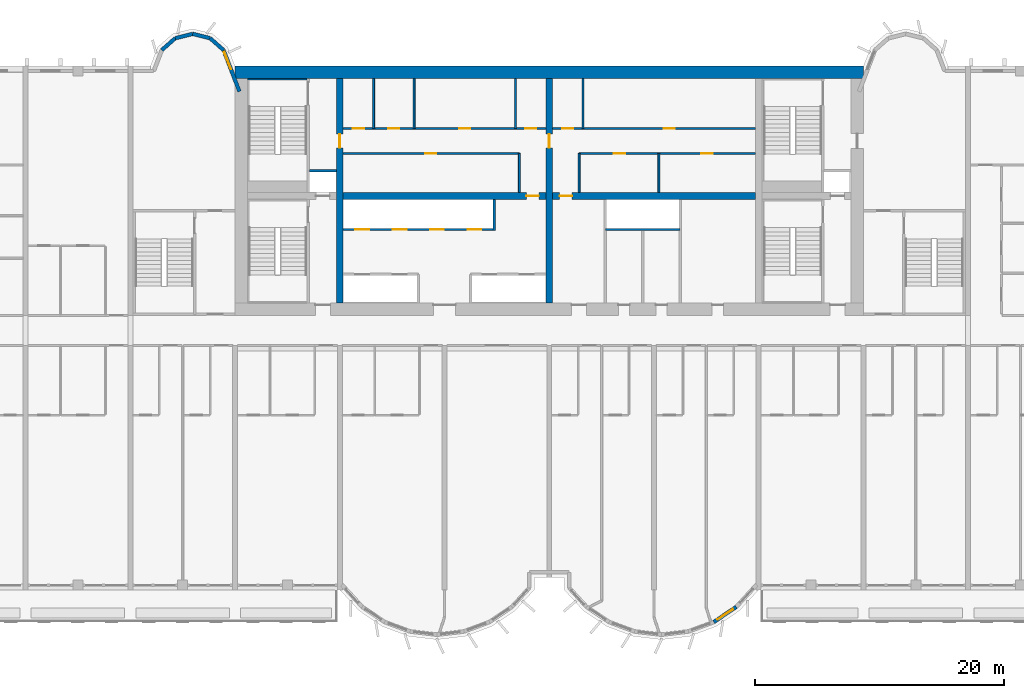
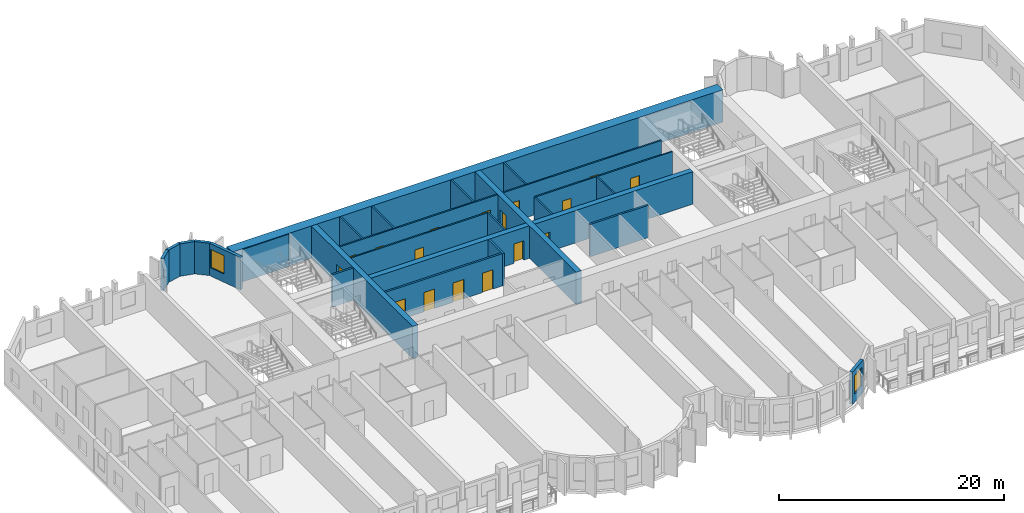
# One storey, part 7 of 14: 27 walls, 17 doors, 2 windows, 19 openings.
"""IFC4 building model written with IfcOpenShell, lengths in metres."""

from ifc_helpers import new_model, si_unit, direction, frame, frame_2d, origin, place, context, subcontext, project, spatial, rectangle, extrude, source, transform, mapped, material, layer, layer_set, type_object, element, fill, save


model = new_model("IFC4")

# Units and contexts
model_context = context("Model", 3, precision=1e-05, world=origin(), true_north=direction((0.0, 1.0)))
body_context = subcontext(model_context, "Body", "Model", "MODEL_VIEW")
ifc_project = project(units=[si_unit("LENGTHUNIT", "METRE"), si_unit("AREAUNIT", "SQUARE_METRE"), si_unit("VOLUMEUNIT", "CUBIC_METRE"), si_unit("PLANEANGLEUNIT", "RADIAN"), si_unit("MASSUNIT", "GRAM", prefix="KILO")], contexts=[model_context])

# Site, building, storey
site_placement = place(None, origin())
site = spatial("IfcSite", under=ifc_project, at=site_placement, CompositionType="ELEMENT")
building_placement = place(site_placement, origin())
building = spatial("IfcBuilding", under=site, at=building_placement, Name="Vanashikhar Sky Hotel", CompositionType="ELEMENT")
storey_placement = place(building_placement, frame((0.0, 0.0, 54.39990234375)))
storey = spatial("IfcBuildingStorey", under=building, at=storey_placement, Name="L12", CompositionType="ELEMENT", Elevation=54.39990234375)

# Wall
ifc_material_1 = material(Name="Concrete M80", Category="concrete")
ifc_layer_1 = layer(ifc_material_1, 1.0)
ifc_layer_set_1 = layer_set([ifc_layer_1], Name="RC core shell wall 1000 Concrete M80")
wall_type_1 = type_object("IfcWallType", Name="RC core shell wall 1000 Concrete M80", PredefinedType="SHEAR", material=ifc_layer_set_1)
shared_shape_1 = source(origin(), body_context, "Body", "SweptSolid", [
    extrude(rectangle(XDim=50.400146484375, YDim=1.0, at=frame_2d((25.2001953125, 0.0))), origin(), (0.0, 0.0, 1.0), 3.52001953125),
])
wall_1_placement = place(storey_placement, frame((25.199951171875, 41.5, 0.0), z_axis=(0.0, 0.0, 1.0), x_axis=(1.0, 0.0, 0.0)))
element("IfcWall", 1, at=wall_1_placement, inside=storey, type_object=wall_type_1, Name="KW-L12-KN", PredefinedType="SHEAR", context=body_context, shape_type="MappedRepresentation", body=[
    mapped(shared_shape_1, transform((0.0, 0.0, 0.0), scale=1.0)),
])

# Wall, opening, door
ifc_layer_2 = layer(ifc_material_1, 0.550048828125)
ifc_layer_set_2 = layer_set([ifc_layer_2], Name="RC core inner wall 550 Concrete M80")
wall_type_2 = type_object("IfcWallType", Name="RC core inner wall 550 Concrete M80", PredefinedType="SHEAR", material=ifc_layer_set_2)
shared_shape_2 = source(origin(), body_context, "Body", "SweptSolid", [
    extrude(rectangle(XDim=18.0, YDim=0.550048828125, at=frame_2d((9.0, 0.0))), origin(), (0.0, 0.0, 1.0), 3.52001953125),
])
wall_2_placement = place(storey_placement, frame((33.60009765625, 23.0, 0.0), z_axis=(0.0, 0.0, 1.0), x_axis=(0.0, 1.0, 0.0)))
wall_2 = element("IfcWall", 2, at=wall_2_placement, inside=storey, type_object=wall_type_2, Name="KW-L12-KX1", PredefinedType="SHEAR", context=body_context, shape_type="MappedRepresentation", body=[
    mapped(shared_shape_2, transform((0.0, 0.0, 0.0), scale=1.0)),
])
shared_shape_3 = source(origin(), body_context, "Body", "SweptSolid", [
    extrude(rectangle(XDim=1.10009765625, YDim=2.10009765625, at=frame_2d((0.550048828125, 1.050048828125))), frame((0.0, 0.28515625, 0.0), z_axis=(0.0, -1.0, 0.0), x_axis=(1.0, 0.0, 0.0)), (0.0, 0.0, 1.0), 0.570068359375),
])
opening_1_placement = place(wall_2_placement, frame((12.449951171875, 0.0, 0.0)))
opening_1 = element("IfcOpeningElement", 3, at=opening_1_placement, cuts=wall_2, Name="Opening DC-4-C", PredefinedType="OPENING", context=body_context, shape_type="MappedRepresentation", body=[
    mapped(shared_shape_3, transform((0.0, 0.0, 0.0), scale=1.0)),
])
ifc_material_2 = material(Name="Steel", Category="steel")
door_type_1 = type_object("IfcDoorType", Name="Service door 1100 FD60", OperationType="NOTDEFINED", PredefinedType="DOOR", material=ifc_material_2)
shared_shape_4 = source(origin(), body_context, "Body", "SweptSolid", [
    extrude(rectangle(XDim=1.10009765625, YDim=2.10009765625, at=frame_2d((0.550048828125, 1.050048828125))), frame((0.0, 0.02490234375, 0.0), z_axis=(0.0, -1.0, 0.0), x_axis=(1.0, 0.0, 0.0)), (0.0, 0.0, 1.0), 0.050048828125),
])
door_1_placement = place(opening_1_placement, origin())
door_1 = element("IfcDoor", 4, at=door_1_placement, inside=storey, type_object=door_type_1, Name="Service door 1100 FD60", OperationType="SINGLE_SWING_RIGHT", OverallHeight=2.10009765625, OverallWidth=1.10009765625, PredefinedType="DOOR", context=body_context, shape_type="MappedRepresentation", body=[
    mapped(shared_shape_4, transform((0.0, 0.0, 0.0), scale=1.0)),
])
fill(opening_1, door_1)

wall_3_placement = place(storey_placement, frame((50.39990234375, 23.0, 0.0), z_axis=(0.0, 0.0, 1.0), x_axis=(0.0, 1.0, 0.0)))
wall_3 = element("IfcWall", 5, at=wall_3_placement, inside=storey, type_object=wall_type_2, Name="KW-L12-KX2", PredefinedType="SHEAR", context=body_context, shape_type="MappedRepresentation", body=[
    mapped(shared_shape_2, transform((0.0, 0.0, 0.0), scale=1.0)),
])
opening_2_placement = place(wall_3_placement, frame((12.449951171875, 0.0, 0.0)))
opening_2 = element("IfcOpeningElement", 6, at=opening_2_placement, cuts=wall_3, Name="Opening DC-4-C", PredefinedType="OPENING", context=body_context, shape_type="MappedRepresentation", body=[
    mapped(shared_shape_3, transform((0.0, 0.0, 0.0), scale=1.0)),
])
door_2_placement = place(opening_2_placement, origin())
door_2 = element("IfcDoor", 7, at=door_2_placement, inside=storey, type_object=door_type_1, Name="Service door 1100 FD60", OperationType="SINGLE_SWING_LEFT", OverallHeight=2.10009765625, OverallWidth=1.10009765625, PredefinedType="DOOR", context=body_context, shape_type="MappedRepresentation", body=[
    mapped(shared_shape_4, transform((0.0, 0.0, 0.0), scale=1.0)),
])
fill(opening_2, door_2)

shared_shape_5 = source(origin(), body_context, "Body", "SweptSolid", [
    extrude(rectangle(XDim=16.25, YDim=0.550048828125, at=frame_2d((8.125, 0.0))), origin(), (0.0, 0.0, 1.0), 3.52001953125),
])
wall_4_placement = place(storey_placement, frame((33.875, 31.60009765625, 0.0), z_axis=(0.0, 0.0, 1.0), x_axis=(1.0, 0.0, 0.0)))
wall_4 = element("IfcWall", 8, at=wall_4_placement, inside=storey, type_object=wall_type_2, Name="KW-L12-KY2", PredefinedType="SHEAR", context=body_context, shape_type="MappedRepresentation", body=[
    mapped(shared_shape_5, transform((0.0, 0.0, 0.0), scale=1.0)),
])
shared_shape_6 = source(origin(), body_context, "Body", "SweptSolid", [
    extrude(rectangle(XDim=1.0, YDim=2.10009765625, at=frame_2d((0.5, 1.050048828125))), frame((0.0, 0.28515625, 0.0), z_axis=(0.0, -1.0, 0.0), x_axis=(1.0, 0.0, 0.0)), (0.0, 0.0, 1.0), 0.570068359375),
])
opening_3_placement = place(wall_4_placement, frame((14.68701171875, 0.0, 0.0)))
opening_3 = element("IfcOpeningElement", 9, at=opening_3_placement, cuts=wall_4, Name="Opening DC-4", PredefinedType="OPENING", context=body_context, shape_type="MappedRepresentation", body=[
    mapped(shared_shape_6, transform((0.0, 0.0, 0.0), scale=1.0)),
])
door_type_2 = type_object("IfcDoorType", Name="Service door 1000 FD60", OperationType="NOTDEFINED", PredefinedType="DOOR", material=ifc_material_2)
shared_shape_7 = source(origin(), body_context, "Body", "SweptSolid", [
    extrude(rectangle(XDim=1.0, YDim=2.10009765625, at=frame_2d((0.5, 1.050048828125))), frame((0.0, 0.02490234375, 0.0), z_axis=(0.0, -1.0, 0.0), x_axis=(1.0, 0.0, 0.0)), (0.0, 0.0, 1.0), 0.050048828125),
])
door_3_placement = place(opening_3_placement, origin())
door_3 = element("IfcDoor", 10, at=door_3_placement, inside=storey, type_object=door_type_2, Name="Service door 1000 FD60", OperationType="SINGLE_SWING_LEFT", OverallHeight=2.10009765625, OverallWidth=1.0, PredefinedType="DOOR", context=body_context, shape_type="MappedRepresentation", body=[
    mapped(shared_shape_7, transform((0.0, 0.0, 0.0), scale=1.0)),
])
fill(opening_3, door_3)

wall_5_placement = place(storey_placement, frame((50.675048828125, 31.60009765625, 0.0), z_axis=(0.0, 0.0, 1.0), x_axis=(1.0, 0.0, 0.0)))
wall_5 = element("IfcWall", 11, at=wall_5_placement, inside=storey, type_object=wall_type_2, Name="KW-L12-KY3", PredefinedType="SHEAR", context=body_context, shape_type="MappedRepresentation", body=[
    mapped(shared_shape_5, transform((0.0, 0.0, 0.0), scale=1.0)),
])
opening_4_placement = place(wall_5_placement, frame((0.56201171875, 0.0, 0.0)))
opening_4 = element("IfcOpeningElement", 12, at=opening_4_placement, cuts=wall_5, Name="Opening DC-4", PredefinedType="OPENING", context=body_context, shape_type="MappedRepresentation", body=[
    mapped(shared_shape_6, transform((0.0, 0.0, 0.0), scale=1.0)),
])
door_4_placement = place(opening_4_placement, origin())
door_4 = element("IfcDoor", 13, at=door_4_placement, inside=storey, type_object=door_type_2, Name="Service door 1000 FD60", OperationType="SINGLE_SWING_RIGHT", OverallHeight=2.10009765625, OverallWidth=1.0, PredefinedType="DOOR", context=body_context, shape_type="MappedRepresentation", body=[
    mapped(shared_shape_7, transform((0.0, 0.0, 0.0), scale=1.0)),
])
fill(opening_4, door_4)

# Wall, opening, window
ifc_material_3 = material(Name="Concrete M50", Category="concrete")
ifc_layer_3 = layer(ifc_material_3, 0.300048828125)
ifc_layer_set_3 = layer_set([ifc_layer_3], Name="Lobe wall 300")
wall_type_3 = type_object("IfcWallType", Name="Lobe wall 300", PredefinedType="SOLIDWALL", material=ifc_layer_set_3)
shared_shape_8 = source(origin(), body_context, "Body", "SweptSolid", [
    extrude(rectangle(XDim=2.17578125, YDim=0.300048828125, at=frame_2d((1.087890625, 0.0))), origin(), (0.0, 0.0, 1.0), 3.52001953125),
])
wall_6_placement = place(storey_placement, frame((63.59912109375, -2.58349609375, 0.0), z_axis=(0.0, 0.0, 1.0), x_axis=(0.829625727223, 0.558319937607, 0.0)))
wall_6 = element("IfcWall", 14, at=wall_6_placement, inside=storey, type_object=wall_type_3, Name="Lobe wall", PredefinedType="SOLIDWALL", context=body_context, shape_type="MappedRepresentation", body=[
    mapped(shared_shape_8, transform((0.0, 0.0, 0.0), scale=1.0)),
])
shared_shape_9 = source(origin(), body_context, "Body", "SweptSolid", [
    extrude(rectangle(XDim=1.5, YDim=2.0, at=frame_2d((0.75, 1.0))), frame((0.0, 0.16015625, 0.0), z_axis=(0.0, -1.0, 0.0), x_axis=(1.0, 0.0, 0.0)), (0.0, 0.0, 1.0), 0.320068359375),
])
opening_5_placement = place(wall_6_placement, frame((0.337890625, 0.0, 0.89990234375)))
opening_5 = element("IfcOpeningElement", 15, at=opening_5_placement, cuts=wall_6, Name="Opening WN-2", PredefinedType="OPENING", context=body_context, shape_type="MappedRepresentation", body=[
    mapped(shared_shape_9, transform((0.0, 0.0, 0.0), scale=1.0)),
])
ifc_material_4 = material(Name="Glass", Category="glass")
window_type = type_object("IfcWindowType", Name="Lobe window 1500 x 2000", PartitioningType="SINGLE_PANEL", PredefinedType="WINDOW", material=ifc_material_4)
shared_shape_10 = source(origin(), body_context, "Body", "SweptSolid", [
    extrude(rectangle(XDim=1.5, YDim=2.0, at=frame_2d((0.75, 1.0))), frame((0.0, 0.030029296875, 0.0), z_axis=(0.0, -1.0, 0.0), x_axis=(1.0, 0.0, 0.0)), (0.0, 0.0, 1.0), 0.06005859375),
])
window_1_placement = place(opening_5_placement, origin())
window_1 = element("IfcWindow", 16, at=window_1_placement, inside=storey, type_object=window_type, Name="Window WN-2", OverallHeight=2.0, OverallWidth=1.5, PartitioningType="SINGLE_PANEL", PredefinedType="WINDOW", context=body_context, shape_type="MappedRepresentation", body=[
    mapped(shared_shape_10, transform((0.0, 0.0, 0.0), scale=1.0)),
])
fill(opening_5, window_1)

shared_shape_11 = source(origin(), body_context, "Body", "SweptSolid", [
    extrude(rectangle(XDim=3.55908203125, YDim=0.300048828125, at=frame_2d((1.779541015625, 0.0))), origin(), (0.0, 0.0, 1.0), 3.52001953125),
])
wall_7_placement = place(storey_placement, frame((25.550048828125, 39.968505859375, 0.0), z_axis=(0.0, 0.0, 1.0), x_axis=(-0.35779745313, 0.933799219604, 0.0)))
wall_7 = element("IfcWall", 17, at=wall_7_placement, inside=storey, type_object=wall_type_3, Name="Lobe wall", PredefinedType="SOLIDWALL", context=body_context, shape_type="MappedRepresentation", body=[
    mapped(shared_shape_11, transform((0.0, 0.0, 0.0), scale=1.0)),
])
opening_6_placement = place(wall_7_placement, frame((1.9033203125, 0.0, 0.89990234375)))
opening_6 = element("IfcOpeningElement", 18, at=opening_6_placement, cuts=wall_7, Name="Opening WN-2", PredefinedType="OPENING", context=body_context, shape_type="MappedRepresentation", body=[
    mapped(shared_shape_9, transform((0.0, 0.0, 0.0), scale=1.0)),
])
window_2_placement = place(opening_6_placement, origin())
window_2 = element("IfcWindow", 19, at=window_2_placement, inside=storey, type_object=window_type, Name="Window WN-2", OverallHeight=2.0, OverallWidth=1.5, PartitioningType="SINGLE_PANEL", PredefinedType="WINDOW", context=body_context, shape_type="MappedRepresentation", body=[
    mapped(shared_shape_10, transform((0.0, 0.0, 0.0), scale=1.0)),
])
fill(opening_6, window_2)

# Walls
shared_shape_12 = source(origin(), body_context, "Body", "SweptSolid", [
    extrude(rectangle(XDim=1.440185546875, YDim=0.300048828125, at=frame_2d((0.72021484375, 0.0))), origin(), (0.0, 0.0, 1.0), 3.52001953125),
])
wall_8_placement = place(storey_placement, frame((24.276611328125, 43.2919921875, 0.0), z_axis=(0.0, 0.0, 1.0), x_axis=(-0.749649827867, 0.661834673902, 0.0)))
element("IfcWall", 20, at=wall_8_placement, inside=storey, type_object=wall_type_3, Name="Lobe wall", PredefinedType="SOLIDWALL", context=body_context, shape_type="MappedRepresentation", body=[
    mapped(shared_shape_12, transform((0.0, 0.0, 0.0), scale=1.0)),
])
shared_shape_13 = source(origin(), body_context, "Body", "SweptSolid", [
    extrude(rectangle(XDim=1.4384765625, YDim=0.300048828125, at=frame_2d((0.71923828125, 0.0))), origin(), (0.0, 0.0, 1.0), 3.52001953125),
])
wall_9_placement = place(storey_placement, frame((23.197021484375, 44.2451171875, 0.0), z_axis=(0.0, 0.0, 1.0), x_axis=(-0.971152283879, 0.238460146601, 0.0)))
element("IfcWall", 21, at=wall_9_placement, inside=storey, type_object=wall_type_3, Name="Lobe wall", PredefinedType="SOLIDWALL", context=body_context, shape_type="MappedRepresentation", body=[
    mapped(shared_shape_13, transform((0.0, 0.0, 0.0), scale=1.0)),
])
shared_shape_14 = source(origin(), body_context, "Body", "SweptSolid", [
    extrude(rectangle(XDim=1.438720703125, YDim=0.300048828125, at=frame_2d((0.71923828125, 0.0))), origin(), (0.0, 0.0, 1.0), 3.52001953125),
])
wall_10_placement = place(storey_placement, frame((21.800048828125, 44.588134765625, 0.0), z_axis=(0.0, 0.0, 1.0), x_axis=(-0.971161932466, -0.238420848351, 0.0)))
element("IfcWall", 22, at=wall_10_placement, inside=storey, type_object=wall_type_3, Name="Lobe wall", PredefinedType="SOLIDWALL", context=body_context, shape_type="MappedRepresentation", body=[
    mapped(shared_shape_14, transform((0.0, 0.0, 0.0), scale=1.0)),
])
shared_shape_15 = source(origin(), body_context, "Body", "SweptSolid", [
    extrude(rectangle(XDim=1.43994140625, YDim=0.300048828125, at=frame_2d((0.719970703125, 0.0))), origin(), (0.0, 0.0, 1.0), 3.52001953125),
])
wall_11_placement = place(storey_placement, frame((20.40283203125, 44.2451171875, 0.0), z_axis=(0.0, 0.0, 1.0), x_axis=(-0.74957555648, -0.661918790432, 0.0)))
element("IfcWall", 23, at=wall_11_placement, inside=storey, type_object=wall_type_3, Name="Lobe wall", PredefinedType="SOLIDWALL", context=body_context, shape_type="MappedRepresentation", body=[
    mapped(shared_shape_15, transform((0.0, 0.0, 0.0), scale=1.0)),
])
ifc_material_5 = material(Name="Concrete M40", Category="concrete")
ifc_layer_4 = layer(ifc_material_5, 0.199951171875)
ifc_layer_set_4 = layer_set([ifc_layer_4], Name="Shaft wall 200")
wall_type_4 = type_object("IfcWallType", Name="Shaft wall 200", PredefinedType="SOLIDWALL", material=ifc_layer_set_4)
shared_shape_16 = source(origin(), body_context, "Body", "SweptSolid", [
    extrude(rectangle(XDim=6.0, YDim=0.199951171875, at=frame_2d((3.0, 0.0))), origin(), (0.0, 0.0, 1.0), 3.52001953125),
])
wall_12_placement = place(storey_placement, frame((60.89990234375, 28.89990234375, 0.0), z_axis=(0.0, 0.0, 1.0), x_axis=(-1.0, 0.0, 0.0)))
element("IfcWall", 24, at=wall_12_placement, inside=storey, type_object=wall_type_4, Name="Shaft wall 200", PredefinedType="SOLIDWALL", context=body_context, shape_type="MappedRepresentation", body=[
    mapped(shared_shape_16, transform((0.0, 0.0, 0.0), scale=1.0)),
])
ifc_layer_5 = layer(ifc_material_3, 0.10009765625)
ifc_layer_set_5 = layer_set([ifc_layer_5], Name="Stair infill wall 100")
wall_type_5 = type_object("IfcWallType", Name="Stair infill wall 100", PredefinedType="SOLIDWALL", material=ifc_layer_set_5)
shared_shape_17 = source(origin(), body_context, "Body", "SweptSolid", [
    extrude(rectangle(XDim=4.75, YDim=0.10009765625, at=frame_2d((2.375, 0.0))), origin(), (0.0, 0.0, 1.0), 3.52001953125),
])
wall_13_placement = place(storey_placement, frame((26.199951171875, 40.949951171875, 0.0), z_axis=(0.0, 0.0, 1.0), x_axis=(1.0, 0.0, 0.0)))
element("IfcWall", 25, at=wall_13_placement, inside=storey, type_object=wall_type_5, Name="Stair infill wall 100", PredefinedType="SOLIDWALL", context=body_context, shape_type="MappedRepresentation", body=[
    mapped(shared_shape_17, transform((0.0, 0.0, 0.0), scale=1.0)),
])

# Wall, openings, doors
shared_shape_18 = source(origin(), body_context, "Body", "SweptSolid", [
    extrude(rectangle(XDim=12.02490234375, YDim=0.199951171875, at=frame_2d((6.012451171875, 0.0))), origin(), (0.0, 0.0, 1.0), 3.52001953125),
])
wall_14_placement = place(storey_placement, frame((33.875, 28.89990234375, 0.0), z_axis=(0.0, 0.0, 1.0), x_axis=(1.0, 0.0, 0.0)))
wall_14 = element("IfcWall", 26, at=wall_14_placement, inside=storey, type_object=wall_type_4, Name="Shaft wall 200", PredefinedType="SOLIDWALL", context=body_context, shape_type="MappedRepresentation", body=[
    mapped(shared_shape_18, transform((0.0, 0.0, 0.0), scale=1.0)),
])
shared_shape_19 = source(origin(), body_context, "Body", "SweptSolid", [
    extrude(rectangle(XDim=1.10009765625, YDim=2.10009765625, at=frame_2d((0.550048828125, 1.050048828125))), frame((0.0, 0.10986328125, 0.0), z_axis=(0.0, -1.0, 0.0), x_axis=(1.0, 0.0, 0.0)), (0.0, 0.0, 1.0), 0.219970703125),
])
opening_7_placement = place(wall_14_placement, frame((0.97509765625, 0.0, 0.0)))
opening_7 = element("IfcOpeningElement", 27, at=opening_7_placement, cuts=wall_14, Name="Opening LD", PredefinedType="OPENING", context=body_context, shape_type="MappedRepresentation", body=[
    mapped(shared_shape_19, transform((0.0, 0.0, 0.0), scale=1.0)),
])
opening_8_placement = place(wall_14_placement, frame((3.97509765625, 0.0, 0.0)))
opening_8 = element("IfcOpeningElement", 28, at=opening_8_placement, cuts=wall_14, Name="Opening LD", PredefinedType="OPENING", context=body_context, shape_type="MappedRepresentation", body=[
    mapped(shared_shape_19, transform((0.0, 0.0, 0.0), scale=1.0)),
])
opening_9_placement = place(wall_14_placement, frame((6.97509765625, 0.0, 0.0)))
opening_9 = element("IfcOpeningElement", 29, at=opening_9_placement, cuts=wall_14, Name="Opening LD", PredefinedType="OPENING", context=body_context, shape_type="MappedRepresentation", body=[
    mapped(shared_shape_19, transform((0.0, 0.0, 0.0), scale=1.0)),
])
opening_10_placement = place(wall_14_placement, frame((9.97509765625, 0.0, 0.0)))
opening_10 = element("IfcOpeningElement", 30, at=opening_10_placement, cuts=wall_14, Name="Opening LD", PredefinedType="OPENING", context=body_context, shape_type="MappedRepresentation", body=[
    mapped(shared_shape_19, transform((0.0, 0.0, 0.0), scale=1.0)),
])
ifc_material_6 = material(Name="Stainless steel", Category="steel")
door_type_3 = type_object("IfcDoorType", Name="Lift landing door 1100", OperationType="NOTDEFINED", PredefinedType="DOOR", material=ifc_material_6)
door_5_placement = place(opening_7_placement, origin())
door_5 = element("IfcDoor", 31, at=door_5_placement, inside=storey, type_object=door_type_3, Name="Lift landing door 1100", OperationType="SLIDING_TO_LEFT", OverallHeight=2.10009765625, OverallWidth=1.10009765625, PredefinedType="DOOR", context=body_context, shape_type="MappedRepresentation", body=[
    mapped(shared_shape_4, transform((0.0, 0.0, 0.0), scale=1.0)),
])
fill(opening_7, door_5)
door_6_placement = place(opening_8_placement, origin())
door_6 = element("IfcDoor", 32, at=door_6_placement, inside=storey, type_object=door_type_3, Name="Lift landing door 1100", OperationType="SLIDING_TO_RIGHT", OverallHeight=2.10009765625, OverallWidth=1.10009765625, PredefinedType="DOOR", context=body_context, shape_type="MappedRepresentation", body=[
    mapped(shared_shape_4, transform((0.0, 0.0, 0.0), scale=1.0)),
])
fill(opening_8, door_6)
door_7_placement = place(opening_9_placement, origin())
door_7 = element("IfcDoor", 33, at=door_7_placement, inside=storey, type_object=door_type_3, Name="Lift landing door 1100", OperationType="SLIDING_TO_LEFT", OverallHeight=2.10009765625, OverallWidth=1.10009765625, PredefinedType="DOOR", context=body_context, shape_type="MappedRepresentation", body=[
    mapped(shared_shape_4, transform((0.0, 0.0, 0.0), scale=1.0)),
])
fill(opening_9, door_7)
door_8_placement = place(opening_10_placement, origin())
door_8 = element("IfcDoor", 34, at=door_8_placement, inside=storey, type_object=door_type_3, Name="Lift landing door 1100", OperationType="SLIDING_TO_RIGHT", OverallHeight=2.10009765625, OverallWidth=1.10009765625, PredefinedType="DOOR", context=body_context, shape_type="MappedRepresentation", body=[
    mapped(shared_shape_4, transform((0.0, 0.0, 0.0), scale=1.0)),
])
fill(opening_10, door_8)

# Walls
shared_shape_20 = source(origin(), body_context, "Body", "SweptSolid", [
    extrude(rectangle(XDim=2.52490234375, YDim=0.199951171875, at=frame_2d((1.262451171875, 0.0))), origin(), (0.0, 0.0, 1.0), 3.52001953125),
])
wall_15_placement = place(storey_placement, frame((46.0, 28.800048828125, 0.0), z_axis=(0.0, 0.0, 1.0), x_axis=(0.0, 1.0, 0.0)))
element("IfcWall", 35, at=wall_15_placement, inside=storey, type_object=wall_type_4, Name="Shaft wall 200", PredefinedType="SOLIDWALL", context=body_context, shape_type="MappedRepresentation", body=[
    mapped(shared_shape_20, transform((0.0, 0.0, 0.0), scale=1.0)),
])
ifc_material_7 = material(Name="Gypsum board partition")
ifc_layer_6 = layer(ifc_material_7, 0.14990234375)
ifc_layer_set_6 = layer_set([ifc_layer_6], Name="Service partition 150")
wall_type_6 = type_object("IfcWallType", Name="Service partition 150", PredefinedType="PARTITIONING", material=ifc_layer_set_6)
shared_shape_21 = source(origin(), body_context, "Body", "SweptSolid", [
    extrude(rectangle(XDim=3.125, YDim=0.14990234375, at=frame_2d((1.5625, 0.0))), origin(), (0.0, 0.0, 1.0), 3.52001953125),
])
for number, where, z_axis, x_axis, name in (
    (36, (48.0, 31.875, 0.0), (0.0, 0.0, 1.0), (0.0, 1.0, 0.0), "Service partition 150"),
    (37, (52.800048828125, 31.875, 0.0), (0.0, 0.0, 1.0), (0.0, 1.0, 0.0), "Service partition 150"),
    (38, (59.197021484375, 31.875, 0.0), (0.0, 0.0, 1.0), (0.0, 1.0, 0.0), "Service partition 150"),
):
    element("IfcWall", number, at=place(storey_placement, frame(where, z_axis=z_axis, x_axis=x_axis)), inside=storey, type_object=wall_type_6, Name=name, PredefinedType="PARTITIONING", context=body_context, shape_type="MappedRepresentation", body=[
        mapped(shared_shape_21, transform((0.0, 0.0, 0.0), scale=1.0)),
    ])

# Wall, opening, door
shared_shape_22 = source(origin(), body_context, "Body", "SweptSolid", [
    extrude(rectangle(XDim=14.125, YDim=0.14990234375, at=frame_2d((7.0625, 0.0))), origin(), (0.0, 0.0, 1.0), 3.52001953125),
])
wall_16_placement = place(storey_placement, frame((33.875, 35.0, 0.0), z_axis=(0.0, 0.0, 1.0), x_axis=(1.0, 0.0, 0.0)))
wall_16 = element("IfcWall", 39, at=wall_16_placement, inside=storey, type_object=wall_type_6, Name="Service partition 150", PredefinedType="PARTITIONING", context=body_context, shape_type="MappedRepresentation", body=[
    mapped(shared_shape_22, transform((0.0, 0.0, 0.0), scale=1.0)),
])
shared_shape_23 = source(origin(), body_context, "Body", "SweptSolid", [
    extrude(rectangle(XDim=0.89990234375, YDim=2.10009765625, at=frame_2d((0.449951171875, 1.050048828125))), frame((0.0, 0.0849609375, 0.0), z_axis=(0.0, -1.0, 0.0), x_axis=(1.0, 0.0, 0.0)), (0.0, 0.0, 1.0), 0.169921875),
])
opening_11_placement = place(wall_16_placement, frame((6.574951171875, 0.0, 0.0)))
opening_11 = element("IfcOpeningElement", 40, at=opening_11_placement, cuts=wall_16, Name="Opening DC-4-A", PredefinedType="OPENING", context=body_context, shape_type="MappedRepresentation", body=[
    mapped(shared_shape_23, transform((0.0, 0.0, 0.0), scale=1.0)),
])
door_type_4 = type_object("IfcDoorType", Name="Service door 900 FD60", OperationType="NOTDEFINED", PredefinedType="DOOR", material=ifc_material_2)
shared_shape_24 = source(origin(), body_context, "Body", "SweptSolid", [
    extrude(rectangle(XDim=0.89990234375, YDim=2.10009765625, at=frame_2d((0.449951171875, 1.050048828125))), frame((0.0, 0.02490234375, 0.0), z_axis=(0.0, -1.0, 0.0), x_axis=(1.0, 0.0, 0.0)), (0.0, 0.0, 1.0), 0.050048828125),
])
door_9_placement = place(opening_11_placement, origin())
door_9 = element("IfcDoor", 41, at=door_9_placement, inside=storey, type_object=door_type_4, Name="Service door 900 FD60", OperationType="SINGLE_SWING_RIGHT", OverallHeight=2.10009765625, OverallWidth=0.89990234375, PredefinedType="DOOR", context=body_context, shape_type="MappedRepresentation", body=[
    mapped(shared_shape_24, transform((0.0, 0.0, 0.0), scale=1.0)),
])
fill(opening_11, door_9)

# Wall, openings, doors
wall_17_placement = place(storey_placement, frame((66.925048828125, 35.0, 0.0), z_axis=(0.0, 0.0, 1.0), x_axis=(-1.0, 0.0, 0.0)))
wall_17 = element("IfcWall", 42, at=wall_17_placement, inside=storey, type_object=wall_type_6, Name="Service partition 150", PredefinedType="PARTITIONING", context=body_context, shape_type="MappedRepresentation", body=[
    mapped(shared_shape_22, transform((0.0, 0.0, 0.0), scale=1.0)),
])
opening_12_placement = place(wall_17_placement, frame((3.4140625, 0.0, 0.0)))
opening_12 = element("IfcOpeningElement", 43, at=opening_12_placement, cuts=wall_17, Name="Opening DC-4-A", PredefinedType="OPENING", context=body_context, shape_type="MappedRepresentation", body=[
    mapped(shared_shape_23, transform((0.0, 0.0, 0.0), scale=1.0)),
])
opening_13_placement = place(wall_17_placement, frame((10.43896484375, 0.0, 0.0)))
opening_13 = element("IfcOpeningElement", 44, at=opening_13_placement, cuts=wall_17, Name="Opening DC-4-A", PredefinedType="OPENING", context=body_context, shape_type="MappedRepresentation", body=[
    mapped(shared_shape_23, transform((0.0, 0.0, 0.0), scale=1.0)),
])
door_10_placement = place(opening_12_placement, origin())
door_10 = element("IfcDoor", 45, at=door_10_placement, inside=storey, type_object=door_type_4, Name="Service door 900 FD60", OperationType="SINGLE_SWING_RIGHT", OverallHeight=2.10009765625, OverallWidth=0.89990234375, PredefinedType="DOOR", context=body_context, shape_type="MappedRepresentation", body=[
    mapped(shared_shape_24, transform((0.0, 0.0, 0.0), scale=1.0)),
])
fill(opening_12, door_10)
door_11_placement = place(opening_13_placement, origin())
door_11 = element("IfcDoor", 46, at=door_11_placement, inside=storey, type_object=door_type_4, Name="Service door 900 FD60", OperationType="SINGLE_SWING_RIGHT", OverallHeight=2.10009765625, OverallWidth=0.89990234375, PredefinedType="DOOR", context=body_context, shape_type="MappedRepresentation", body=[
    mapped(shared_shape_24, transform((0.0, 0.0, 0.0), scale=1.0)),
])
fill(opening_13, door_11)

shared_shape_25 = source(origin(), body_context, "Body", "SweptSolid", [
    extrude(rectangle(XDim=16.25, YDim=0.14990234375, at=frame_2d((8.125, 0.0))), origin(), (0.0, 0.0, 1.0), 3.52001953125),
])
wall_18_placement = place(storey_placement, frame((33.875, 37.0, 0.0), z_axis=(0.0, 0.0, 1.0), x_axis=(1.0, 0.0, 0.0)))
wall_18 = element("IfcWall", 47, at=wall_18_placement, inside=storey, type_object=wall_type_6, Name="Service partition 150", PredefinedType="PARTITIONING", context=body_context, shape_type="MappedRepresentation", body=[
    mapped(shared_shape_25, transform((0.0, 0.0, 0.0), scale=1.0)),
])
opening_14_placement = place(wall_18_placement, frame((0.76904296875, 0.0, 0.0)))
opening_14 = element("IfcOpeningElement", 48, at=opening_14_placement, cuts=wall_18, Name="Opening DC-4-A", PredefinedType="OPENING", context=body_context, shape_type="MappedRepresentation", body=[
    mapped(shared_shape_23, transform((0.0, 0.0, 0.0), scale=1.0)),
])
opening_15_placement = place(wall_18_placement, frame((3.613037109375, 0.0, 0.0)))
opening_15 = element("IfcOpeningElement", 49, at=opening_15_placement, cuts=wall_18, Name="Opening DC-4-A", PredefinedType="OPENING", context=body_context, shape_type="MappedRepresentation", body=[
    mapped(shared_shape_23, transform((0.0, 0.0, 0.0), scale=1.0)),
])
opening_16_placement = place(wall_18_placement, frame((9.300048828125, 0.0, 0.0)))
opening_16 = element("IfcOpeningElement", 50, at=opening_16_placement, cuts=wall_18, Name="Opening DC-4-A", PredefinedType="OPENING", context=body_context, shape_type="MappedRepresentation", body=[
    mapped(shared_shape_23, transform((0.0, 0.0, 0.0), scale=1.0)),
])
opening_17_placement = place(wall_18_placement, frame((14.5810546875, 0.0, 0.0)))
opening_17 = element("IfcOpeningElement", 51, at=opening_17_placement, cuts=wall_18, Name="Opening DC-4-A", PredefinedType="OPENING", context=body_context, shape_type="MappedRepresentation", body=[
    mapped(shared_shape_23, transform((0.0, 0.0, 0.0), scale=1.0)),
])
door_12_placement = place(opening_14_placement, origin())
door_12 = element("IfcDoor", 52, at=door_12_placement, inside=storey, type_object=door_type_4, Name="Service door 900 FD60", OperationType="SINGLE_SWING_LEFT", OverallHeight=2.10009765625, OverallWidth=0.89990234375, PredefinedType="DOOR", context=body_context, shape_type="MappedRepresentation", body=[
    mapped(shared_shape_24, transform((0.0, 0.0, 0.0), scale=1.0)),
])
fill(opening_14, door_12)
door_13_placement = place(opening_15_placement, origin())
door_13 = element("IfcDoor", 53, at=door_13_placement, inside=storey, type_object=door_type_4, Name="Service door 900 FD60", OperationType="SINGLE_SWING_RIGHT", OverallHeight=2.10009765625, OverallWidth=0.89990234375, PredefinedType="DOOR", context=body_context, shape_type="MappedRepresentation", body=[
    mapped(shared_shape_24, transform((0.0, 0.0, 0.0), scale=1.0)),
])
fill(opening_15, door_13)
door_14_placement = place(opening_16_placement, origin())
door_14 = element("IfcDoor", 54, at=door_14_placement, inside=storey, type_object=door_type_4, Name="Service door 900 FD60", OperationType="SINGLE_SWING_RIGHT", OverallHeight=2.10009765625, OverallWidth=0.89990234375, PredefinedType="DOOR", context=body_context, shape_type="MappedRepresentation", body=[
    mapped(shared_shape_24, transform((0.0, 0.0, 0.0), scale=1.0)),
])
fill(opening_16, door_14)
door_15_placement = place(opening_17_placement, origin())
door_15 = element("IfcDoor", 55, at=door_15_placement, inside=storey, type_object=door_type_4, Name="Service door 900 FD60", OperationType="SINGLE_SWING_RIGHT", OverallHeight=2.10009765625, OverallWidth=0.89990234375, PredefinedType="DOOR", context=body_context, shape_type="MappedRepresentation", body=[
    mapped(shared_shape_24, transform((0.0, 0.0, 0.0), scale=1.0)),
])
fill(opening_17, door_15)

wall_19_placement = place(storey_placement, frame((66.925048828125, 37.0, 0.0), z_axis=(0.0, 0.0, 1.0), x_axis=(-1.0, 0.0, 0.0)))
wall_19 = element("IfcWall", 56, at=wall_19_placement, inside=storey, type_object=wall_type_6, Name="Service partition 150", PredefinedType="PARTITIONING", context=body_context, shape_type="MappedRepresentation", body=[
    mapped(shared_shape_25, transform((0.0, 0.0, 0.0), scale=1.0)),
])
opening_18_placement = place(wall_19_placement, frame((6.4560546875, 0.0, 0.0)))
opening_18 = element("IfcOpeningElement", 57, at=opening_18_placement, cuts=wall_19, Name="Opening DC-4-A", PredefinedType="OPENING", context=body_context, shape_type="MappedRepresentation", body=[
    mapped(shared_shape_23, transform((0.0, 0.0, 0.0), scale=1.0)),
])
opening_19_placement = place(wall_19_placement, frame((14.5810546875, 0.0, 0.0)))
opening_19 = element("IfcOpeningElement", 58, at=opening_19_placement, cuts=wall_19, Name="Opening DC-4-A", PredefinedType="OPENING", context=body_context, shape_type="MappedRepresentation", body=[
    mapped(shared_shape_23, transform((0.0, 0.0, 0.0), scale=1.0)),
])
door_16_placement = place(opening_18_placement, origin())
door_16 = element("IfcDoor", 59, at=door_16_placement, inside=storey, type_object=door_type_4, Name="Service door 900 FD60", OperationType="SINGLE_SWING_LEFT", OverallHeight=2.10009765625, OverallWidth=0.89990234375, PredefinedType="DOOR", context=body_context, shape_type="MappedRepresentation", body=[
    mapped(shared_shape_24, transform((0.0, 0.0, 0.0), scale=1.0)),
])
fill(opening_18, door_16)
door_17_placement = place(opening_19_placement, origin())
door_17 = element("IfcDoor", 60, at=door_17_placement, inside=storey, type_object=door_type_4, Name="Service door 900 FD60", OperationType="SINGLE_SWING_LEFT", OverallHeight=2.10009765625, OverallWidth=0.89990234375, PredefinedType="DOOR", context=body_context, shape_type="MappedRepresentation", body=[
    mapped(shared_shape_24, transform((0.0, 0.0, 0.0), scale=1.0)),
])
fill(opening_19, door_17)

# Walls
shared_shape_26 = source(origin(), body_context, "Body", "SweptSolid", [
    extrude(rectangle(XDim=4.0, YDim=0.14990234375, at=frame_2d((2.0, 0.0))), origin(), (0.0, 0.0, 1.0), 3.52001953125),
])
for number, where, z_axis, x_axis, name in (
    (61, (36.31201171875, 37.0, 0.0), (0.0, 0.0, 1.0), (0.0, 1.0, 0.0), "Service partition 150"),
    (62, (39.56201171875, 37.0, 0.0), (0.0, 0.0, 1.0), (0.0, 1.0, 0.0), "Service partition 150"),
    (63, (47.68798828125, 37.0, 0.0), (0.0, 0.0, 1.0), (0.0, 1.0, 0.0), "Service partition 150"),
    (64, (53.112060546875, 37.0, 0.0), (0.0, 0.0, 1.0), (0.0, 1.0, 0.0), "Service partition 150"),
):
    element("IfcWall", number, at=place(storey_placement, frame(where, z_axis=z_axis, x_axis=x_axis)), inside=storey, type_object=wall_type_6, Name=name, PredefinedType="PARTITIONING", context=body_context, shape_type="MappedRepresentation", body=[
        mapped(shared_shape_26, transform((0.0, 0.0, 0.0), scale=1.0)),
    ])
shared_shape_27 = source(origin(), body_context, "Body", "SweptSolid", [
    extrude(rectangle(XDim=2.175048828125, YDim=0.199951171875, at=frame_2d((1.08740234375, 0.0))), origin(), (0.0, 0.0, 1.0), 3.52001953125),
])
wall_20_placement = place(storey_placement, frame((31.14990234375, 33.60009765625, 0.0), z_axis=(0.0, 0.0, 1.0), x_axis=(1.0, 0.0, 0.0)))
element("IfcWall", 65, at=wall_20_placement, inside=storey, type_object=wall_type_4, Name="Shaft wall 200", PredefinedType="SOLIDWALL", context=body_context, shape_type="MappedRepresentation", body=[
    mapped(shared_shape_27, transform((0.0, 0.0, 0.0), scale=1.0)),
])

save(model, "model.ifc")
